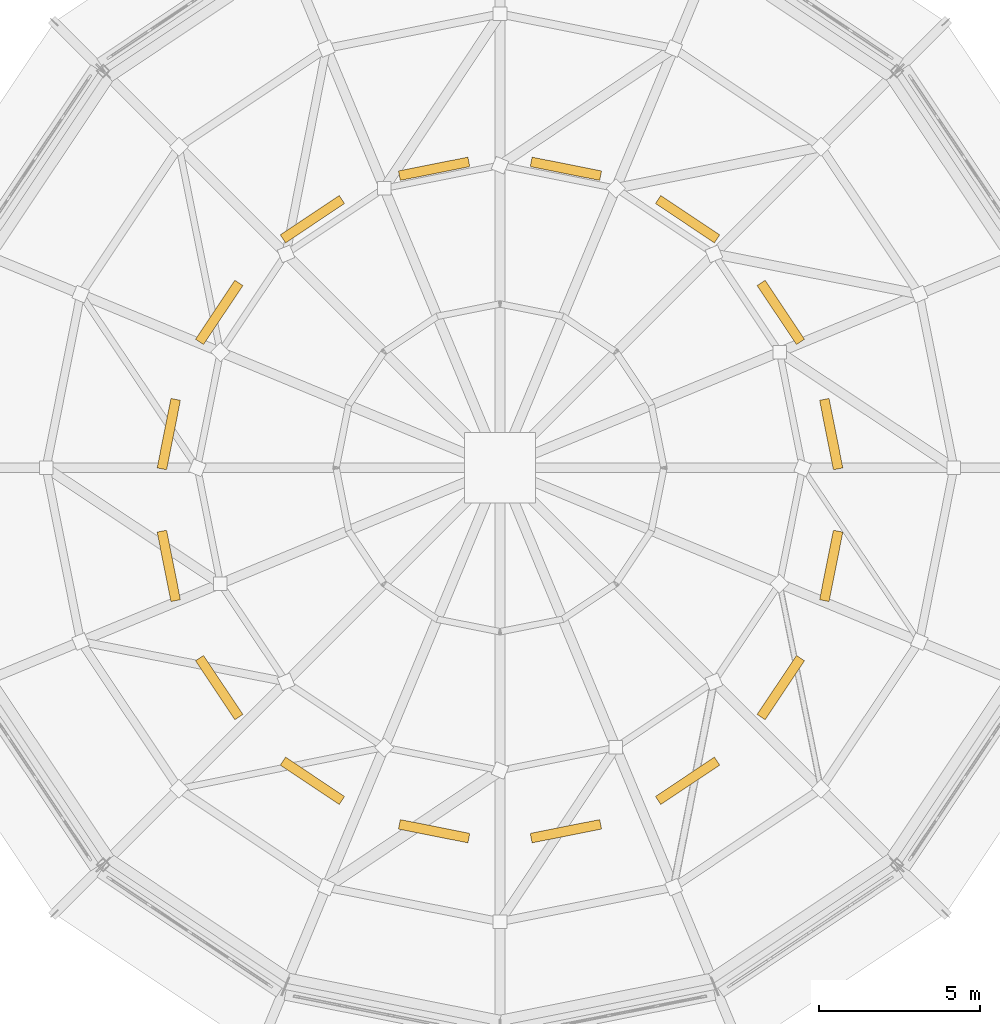
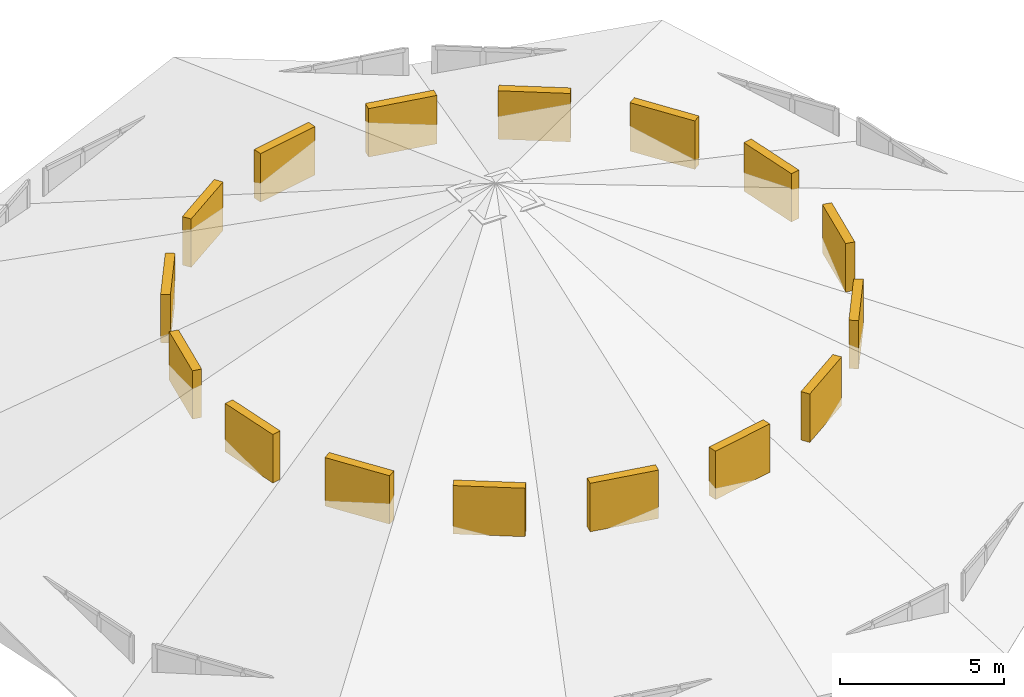
# One storey, part 18 of 18: 16 coverings.
"""IFC4 building model written with IfcOpenShell, lengths in metres."""

from ifc_helpers import new_model, si_unit, direction, frame, origin, origin_2d, place, context, subcontext, project, spatial, rectangle, extrude, material, type_object, element, save


model = new_model("IFC4")

# Units and contexts
model_context = context("Model", 3, precision=1e-05, world=origin(), true_north=direction((0.0, 1.0)))
body_context = subcontext(model_context, "Body", "Model", "MODEL_VIEW")
ifc_project = project(units=[si_unit("LENGTHUNIT", "METRE"), si_unit("AREAUNIT", "SQUARE_METRE"), si_unit("VOLUMEUNIT", "CUBIC_METRE"), si_unit("PLANEANGLEUNIT", "RADIAN"), si_unit("MASSUNIT", "GRAM", prefix="KILO")], contexts=[model_context])

# Site, building, storey
site_placement = place(None, origin())
site = spatial("IfcSite", under=ifc_project, at=site_placement, CompositionType="ELEMENT")
building_placement = place(site_placement, origin())
building = spatial("IfcBuilding", under=site, at=building_placement, Name="Soyqirgoq Riverine Aquarium", CompositionType="ELEMENT")
storey_placement = place(building_placement, frame((0.0, 0.0, 29.39990234375)))
storey = spatial("IfcBuildingStorey", under=building, at=storey_placement, Name="RF", CompositionType="ELEMENT", Elevation=29.39990234375)

# Coverings
ifc_material = material(Name="Powder-coated aluminium acoustic weather louvre", Category="aluminium")
covering_type = type_object("IfcCoveringType", Name="AcousticPlantLouvre_600", PredefinedType="USERDEFINED", material=ifc_material)
for number, where, z_axis, x_axis, name in (
    (1, (66.298095703125, 58.04833984375, 4.14990234375), (0.0, 0.0, 1.0), (-0.195090322016, 0.980785280403, 0.0), "V1 RF Folded Roof Lantern Louvre 01"),
    (2, (64.73046875, 61.83349609375, 4.14990234375), (0.0, 0.0, 1.0), (-0.55557023302, 0.831469612303, 0.0), "V1 RF Folded Roof Lantern Louvre 02"),
    (3, (61.83349609375, 64.73046875, 4.14990234375), (0.0, 0.0, 1.0), (-0.831469612303, 0.55557023302, 0.0), "V1 RF Folded Roof Lantern Louvre 03"),
    (4, (58.04833984375, 66.298095703125, 4.14990234375), (0.0, 0.0, 1.0), (-0.980785280403, 0.195090322016, 0.0), "V1 RF Folded Roof Lantern Louvre 04"),
    (5, (53.95166015625, 66.298095703125, 4.14990234375), (0.0, 0.0, 1.0), (-0.980785280403, -0.195090322016, 0.0), "V1 RF Folded Roof Lantern Louvre 05"),
    (6, (50.16650390625, 64.73046875, 4.14990234375), (0.0, 0.0, 1.0), (-0.831469612303, -0.55557023302, 0.0), "V1 RF Folded Roof Lantern Louvre 06"),
    (7, (47.26953125, 61.83349609375, 4.14990234375), (0.0, 0.0, 1.0), (-0.55557023302, -0.831469612303, 0.0), "V1 RF Folded Roof Lantern Louvre 07"),
    (8, (45.701904296875, 58.04833984375, 4.14990234375), (0.0, 0.0, 1.0), (-0.195090322016, -0.980785280403, 0.0), "V1 RF Folded Roof Lantern Louvre 08"),
    (9, (45.701904296875, 53.95166015625, 4.14990234375), (0.0, 0.0, 1.0), (0.195090322016, -0.980785280403, 0.0), "V1 RF Folded Roof Lantern Louvre 09"),
    (10, (47.26953125, 50.16650390625, 4.14990234375), (0.0, 0.0, 1.0), (0.55557023302, -0.831469612303, 0.0), "V1 RF Folded Roof Lantern Louvre 10"),
    (11, (50.16650390625, 47.26953125, 4.14990234375), (0.0, 0.0, 1.0), (0.831469612303, -0.55557023302, 0.0), "V1 RF Folded Roof Lantern Louvre 11"),
    (12, (53.95166015625, 45.701904296875, 4.14990234375), (0.0, 0.0, 1.0), (0.980785280403, -0.195090322016, 0.0), "V1 RF Folded Roof Lantern Louvre 12"),
    (13, (58.04833984375, 45.701904296875, 4.14990234375), (0.0, 0.0, 1.0), (0.980785280403, 0.195090322016, 0.0), "V1 RF Folded Roof Lantern Louvre 13"),
    (14, (61.83349609375, 47.26953125, 4.14990234375), (0.0, 0.0, 1.0), (0.831469612303, 0.55557023302, 0.0), "V1 RF Folded Roof Lantern Louvre 14"),
    (15, (64.73046875, 50.16650390625, 4.14990234375), (0.0, 0.0, 1.0), (0.55557023302, 0.831469612303, 0.0), "V1 RF Folded Roof Lantern Louvre 15"),
    (16, (66.298095703125, 53.95166015625, 4.14990234375), (0.0, 0.0, 1.0), (0.195090322016, 0.980785280403, 0.0), "V1 RF Folded Roof Lantern Louvre 16"),
):
    element("IfcCovering", number, at=place(storey_placement, frame(where, z_axis=z_axis, x_axis=x_axis)), inside=storey, type_object=covering_type, Name=name, ObjectType="ACOUSTIC_LOUVRE", PredefinedType="USERDEFINED", context=body_context, shape_type="SweptSolid", body=[
        extrude(rectangle(XDim=2.199951171875, YDim=0.300048828125, at=origin_2d()), origin(), (0.0, 0.0, 1.0), 1.800048828125),
    ])

save(model, "model.ifc")
